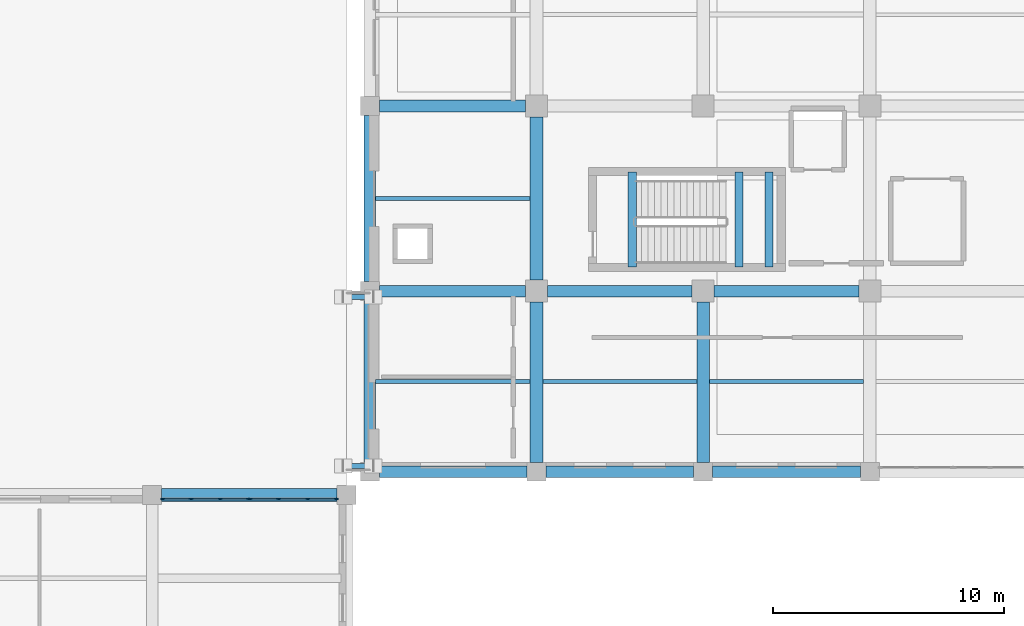
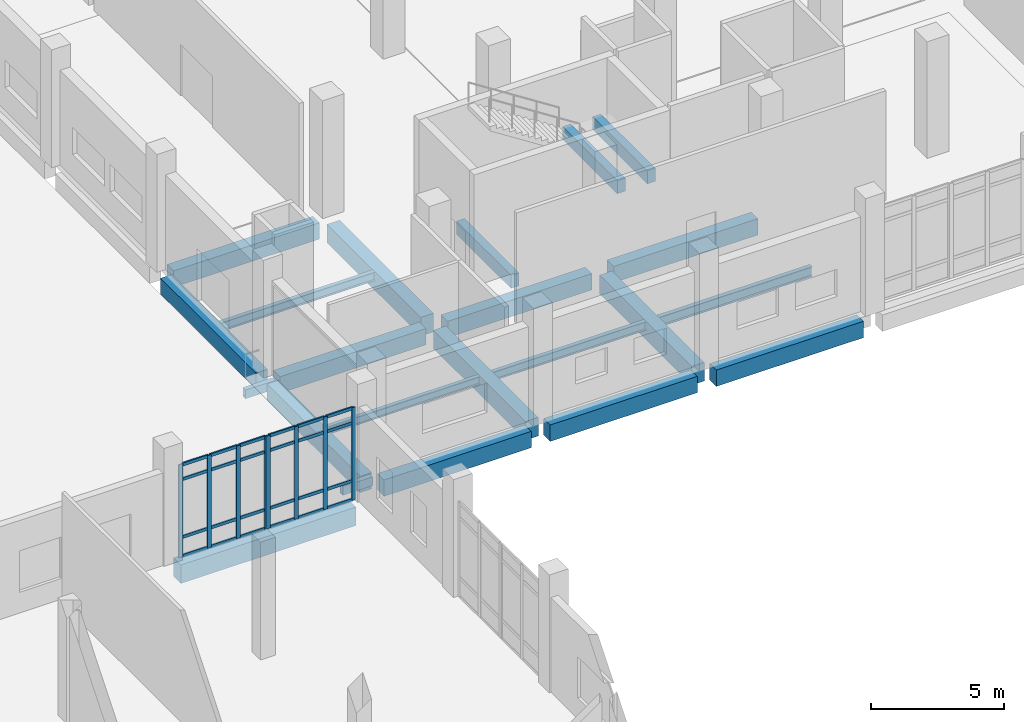
# One storey, part 10 of 79: 32 members, 22 beams, 2 elements without a shape of their own.
"""IFC4 building model written with IfcOpenShell, lengths in metres."""

from ifc_helpers import new_model, si_unit, direction, frame, origin, origin_2d, place, context, subcontext, project, spatial, rectangle, hollow_rectangle, i_section, extrude, material, layer, layer_set, material_profile, profile_set, type_object, element, aggregate, save


model = new_model("IFC4")

# Units and contexts
model_context = context("Model", 3, precision=1e-05, world=origin(), true_north=direction((0.0, 1.0)))
body_context = subcontext(model_context, "Body", "Model", "MODEL_VIEW")
ifc_project = project(units=[si_unit("LENGTHUNIT", "METRE"), si_unit("AREAUNIT", "SQUARE_METRE"), si_unit("VOLUMEUNIT", "CUBIC_METRE"), si_unit("PLANEANGLEUNIT", "RADIAN"), si_unit("MASSUNIT", "GRAM", prefix="KILO")], contexts=[model_context])

# Site, building, storey
site_placement = place(None, origin())
site = spatial("IfcSite", under=ifc_project, at=site_placement, CompositionType="ELEMENT")
building_placement = place(site_placement, origin())
building = spatial("IfcBuilding", under=site, at=building_placement, Name="Kelarvand Opera House", CompositionType="ELEMENT")
storey_placement = place(building_placement, origin())
storey = spatial("IfcBuildingStorey", under=building, at=storey_placement, Name="L00", CompositionType="ELEMENT", Elevation=0.0)

# Curtain wall, members
ifc_material_1 = material(Name="Thermally broken aluminium and low-E glazing", Category="aluminium")
ifc_layer = layer(ifc_material_1, 0.179931640625, Name="Thermally broken aluminium and low-E glazing", Category="aluminium")
ifc_layer_set = layer_set([ifc_layer], Name="Thermally broken aluminium and low-E glazing")
curtain_wall_type = type_object("IfcCurtainWallType", Name="Unitised Low-E Curtain Wall 3776x4250 Mod 1350 CWF-23", PredefinedType="USERDEFINED", material=ifc_layer_set)
curtain_wall_1_placement = place(storey_placement, origin())
curtain_wall_1 = element("IfcCurtainWall", 1, at=curtain_wall_1_placement, inside=storey, type_object=curtain_wall_type, Name="V4 L00 Curtain Wall CWF-23 (109)", ObjectType="UNITISED CURTAIN WALL", PredefinedType="USERDEFINED")
ifc_material_2 = material(Name="Thermally broken anodised aluminium", Category="aluminium")
ifc_material_profile_1 = material_profile(ifc_material_2, rectangle(XDim=0.06494140625, YDim=0.179931640625, at=origin_2d()), Name="ALU MULLION 65x180", Category="aluminium")
ifc_profile_set_1 = profile_set([ifc_material_profile_1], Name="Thermally broken anodised aluminium")
member_type_1 = type_object("IfcMemberType", Name="Curtain Wall Mullion 65x180 Aluminium", PredefinedType="MULLION", material=ifc_profile_set_1)
member_1_placement = place(storey_placement, frame((43.052490234375, 37.6201171875, 0.0), z_axis=(0.0, 0.0, 1.0), x_axis=(0.0, 1.0, 0.0)))
member_1 = element("IfcMember", 2, at=member_1_placement, type_object=member_type_1, Name="CWF-23 mullion 1", PredefinedType="MULLION", context=body_context, shape_type="SweptSolid", body=[
    extrude(rectangle(XDim=0.06494140625, YDim=0.179931640625, at=origin_2d()), origin(), (0.0, 0.0, 1.0), 4.25),
])
member_2_placement = place(storey_placement, frame((44.278564453125, 37.6201171875, 0.0), z_axis=(0.0, 0.0, 1.0), x_axis=(0.0, 1.0, 0.0)))
member_2 = element("IfcMember", 3, at=member_2_placement, type_object=member_type_1, Name="CWF-23 mullion 2", PredefinedType="MULLION", context=body_context, shape_type="SweptSolid", body=[
    extrude(rectangle(XDim=0.06494140625, YDim=0.179931640625, at=origin_2d()), origin(), (0.0, 0.0, 1.0), 4.25),
])
member_3_placement = place(storey_placement, frame((45.537353515625, 37.6201171875, 0.0), z_axis=(0.0, 0.0, 1.0), x_axis=(0.0, 1.0, 0.0)))
member_3 = element("IfcMember", 4, at=member_3_placement, type_object=member_type_1, Name="CWF-23 mullion 3", PredefinedType="MULLION", context=body_context, shape_type="SweptSolid", body=[
    extrude(rectangle(XDim=0.06494140625, YDim=0.179931640625, at=origin_2d()), origin(), (0.0, 0.0, 1.0), 4.25),
])
member_4_placement = place(storey_placement, frame((46.763427734375, 37.6201171875, 0.0), z_axis=(0.0, 0.0, 1.0), x_axis=(0.0, 1.0, 0.0)))
member_4 = element("IfcMember", 5, at=member_4_placement, type_object=member_type_1, Name="CWF-23 mullion 4", PredefinedType="MULLION", context=body_context, shape_type="SweptSolid", body=[
    extrude(rectangle(XDim=0.06494140625, YDim=0.179931640625, at=origin_2d()), origin(), (0.0, 0.0, 1.0), 4.25),
])

curtain_wall_2_placement = place(storey_placement, origin())
curtain_wall_2 = element("IfcCurtainWall", 6, at=curtain_wall_2_placement, inside=storey, type_object=curtain_wall_type, Name="V4 L00 Curtain Wall CWF-23 (110)", ObjectType="UNITISED CURTAIN WALL", PredefinedType="USERDEFINED")
member_5_placement = place(storey_placement, frame((46.83251953125, 37.6201171875, 0.0), z_axis=(0.0, 0.0, 1.0), x_axis=(0.0, 1.0, 0.0)))
member_5 = element("IfcMember", 7, at=member_5_placement, type_object=member_type_1, Name="CWF-23 mullion 1", PredefinedType="MULLION", context=body_context, shape_type="SweptSolid", body=[
    extrude(rectangle(XDim=0.06494140625, YDim=0.179931640625, at=origin_2d()), origin(), (0.0, 0.0, 1.0), 4.25),
])
member_6_placement = place(storey_placement, frame((48.06005859375, 37.6201171875, 0.0), z_axis=(0.0, 0.0, 1.0), x_axis=(0.0, 1.0, 0.0)))
member_6 = element("IfcMember", 8, at=member_6_placement, type_object=member_type_1, Name="CWF-23 mullion 2", PredefinedType="MULLION", context=body_context, shape_type="SweptSolid", body=[
    extrude(rectangle(XDim=0.06494140625, YDim=0.179931640625, at=origin_2d()), origin(), (0.0, 0.0, 1.0), 4.25),
])
member_7_placement = place(storey_placement, frame((49.320068359375, 37.6201171875, 0.0), z_axis=(0.0, 0.0, 1.0), x_axis=(0.0, 1.0, 0.0)))
member_7 = element("IfcMember", 9, at=member_7_placement, type_object=member_type_1, Name="CWF-23 mullion 3", PredefinedType="MULLION", context=body_context, shape_type="SweptSolid", body=[
    extrude(rectangle(XDim=0.06494140625, YDim=0.179931640625, at=origin_2d()), origin(), (0.0, 0.0, 1.0), 4.25),
])
member_8_placement = place(storey_placement, frame((50.547607421875, 37.6201171875, 0.0), z_axis=(0.0, 0.0, 1.0), x_axis=(0.0, 1.0, 0.0)))
member_8 = element("IfcMember", 10, at=member_8_placement, type_object=member_type_1, Name="CWF-23 mullion 4", PredefinedType="MULLION", context=body_context, shape_type="SweptSolid", body=[
    extrude(rectangle(XDim=0.06494140625, YDim=0.179931640625, at=origin_2d()), origin(), (0.0, 0.0, 1.0), 4.25),
])

# Member
ifc_material_profile_2 = material_profile(ifc_material_2, rectangle(XDim=0.06494140625, YDim=0.139892578125, at=origin_2d()), Name="ALU TRANSOM 65x140", Category="aluminium")
ifc_profile_set_2 = profile_set([ifc_material_profile_2], Name="Thermally broken anodised aluminium")
member_type_2 = type_object("IfcMemberType", Name="Curtain Wall Transom 65x140 Aluminium", PredefinedType="USERDEFINED", material=ifc_profile_set_2)
member_9_placement = place(storey_placement, frame((43.0849609375, 37.6201171875, 0.032470703125), z_axis=(1.0, 0.0, 0.0), x_axis=(0.0, 1.0, 0.0)))
member_9 = element("IfcMember", 11, at=member_9_placement, type_object=member_type_2, Name="CWF-23 transom 1.1", ObjectType="TRANSOM", PredefinedType="USERDEFINED", context=body_context, shape_type="SweptSolid", body=[
    extrude(rectangle(XDim=0.06494140625, YDim=0.139892578125, at=origin_2d()), origin(), (0.0, 0.0, 1.0), 1.1611328125),
])

member_10_placement = place(storey_placement, frame((43.0849609375, 37.6201171875, 0.89990234375), z_axis=(1.0, 0.0, 0.0), x_axis=(0.0, 1.0, 0.0)))
member_10 = element("IfcMember", 12, at=member_10_placement, type_object=member_type_2, Name="CWF-23 transom 1.2", ObjectType="TRANSOM", PredefinedType="USERDEFINED", context=body_context, shape_type="SweptSolid", body=[
    extrude(rectangle(XDim=0.06494140625, YDim=0.139892578125, at=origin_2d()), origin(), (0.0, 0.0, 1.0), 1.1611328125),
])

member_11_placement = place(storey_placement, frame((43.0849609375, 37.6201171875, 3.550048828125), z_axis=(1.0, 0.0, 0.0), x_axis=(0.0, 1.0, 0.0)))
member_11 = element("IfcMember", 13, at=member_11_placement, type_object=member_type_2, Name="CWF-23 transom 1.3", ObjectType="TRANSOM", PredefinedType="USERDEFINED", context=body_context, shape_type="SweptSolid", body=[
    extrude(rectangle(XDim=0.06494140625, YDim=0.139892578125, at=origin_2d()), origin(), (0.0, 0.0, 1.0), 1.1611328125),
])

member_12_placement = place(storey_placement, frame((43.0849609375, 37.6201171875, 4.217529296875), z_axis=(1.0, 0.0, 0.0), x_axis=(0.0, 1.0, 0.0)))
member_12 = element("IfcMember", 14, at=member_12_placement, type_object=member_type_2, Name="CWF-23 transom 1.4", ObjectType="TRANSOM", PredefinedType="USERDEFINED", context=body_context, shape_type="SweptSolid", body=[
    extrude(rectangle(XDim=0.06494140625, YDim=0.139892578125, at=origin_2d()), origin(), (0.0, 0.0, 1.0), 1.1611328125),
])

member_13_placement = place(storey_placement, frame((44.311279296875, 37.6201171875, 0.032470703125), z_axis=(1.0, 0.0, 0.0), x_axis=(0.0, 1.0, 0.0)))
member_13 = element("IfcMember", 15, at=member_13_placement, type_object=member_type_2, Name="CWF-23 transom 2.1", ObjectType="TRANSOM", PredefinedType="USERDEFINED", context=body_context, shape_type="SweptSolid", body=[
    extrude(rectangle(XDim=0.06494140625, YDim=0.139892578125, at=origin_2d()), origin(), (0.0, 0.0, 1.0), 1.193603515625),
])

member_14_placement = place(storey_placement, frame((44.311279296875, 37.6201171875, 0.89990234375), z_axis=(1.0, 0.0, 0.0), x_axis=(0.0, 1.0, 0.0)))
member_14 = element("IfcMember", 16, at=member_14_placement, type_object=member_type_2, Name="CWF-23 transom 2.2", ObjectType="TRANSOM", PredefinedType="USERDEFINED", context=body_context, shape_type="SweptSolid", body=[
    extrude(rectangle(XDim=0.06494140625, YDim=0.139892578125, at=origin_2d()), origin(), (0.0, 0.0, 1.0), 1.193603515625),
])

member_15_placement = place(storey_placement, frame((44.311279296875, 37.6201171875, 3.550048828125), z_axis=(1.0, 0.0, 0.0), x_axis=(0.0, 1.0, 0.0)))
member_15 = element("IfcMember", 17, at=member_15_placement, type_object=member_type_2, Name="CWF-23 transom 2.3", ObjectType="TRANSOM", PredefinedType="USERDEFINED", context=body_context, shape_type="SweptSolid", body=[
    extrude(rectangle(XDim=0.06494140625, YDim=0.139892578125, at=origin_2d()), origin(), (0.0, 0.0, 1.0), 1.193603515625),
])

member_16_placement = place(storey_placement, frame((44.311279296875, 37.6201171875, 4.217529296875), z_axis=(1.0, 0.0, 0.0), x_axis=(0.0, 1.0, 0.0)))
member_16 = element("IfcMember", 18, at=member_16_placement, type_object=member_type_2, Name="CWF-23 transom 2.4", ObjectType="TRANSOM", PredefinedType="USERDEFINED", context=body_context, shape_type="SweptSolid", body=[
    extrude(rectangle(XDim=0.06494140625, YDim=0.139892578125, at=origin_2d()), origin(), (0.0, 0.0, 1.0), 1.193603515625),
])

member_17_placement = place(storey_placement, frame((45.56982421875, 37.6201171875, 0.032470703125), z_axis=(1.0, 0.0, 0.0), x_axis=(0.0, 1.0, 0.0)))
member_17 = element("IfcMember", 19, at=member_17_placement, type_object=member_type_2, Name="CWF-23 transom 3.1", ObjectType="TRANSOM", PredefinedType="USERDEFINED", context=body_context, shape_type="SweptSolid", body=[
    extrude(rectangle(XDim=0.06494140625, YDim=0.139892578125, at=origin_2d()), origin(), (0.0, 0.0, 1.0), 1.1611328125),
])

member_18_placement = place(storey_placement, frame((45.56982421875, 37.6201171875, 0.89990234375), z_axis=(1.0, 0.0, 0.0), x_axis=(0.0, 1.0, 0.0)))
member_18 = element("IfcMember", 20, at=member_18_placement, type_object=member_type_2, Name="CWF-23 transom 3.2", ObjectType="TRANSOM", PredefinedType="USERDEFINED", context=body_context, shape_type="SweptSolid", body=[
    extrude(rectangle(XDim=0.06494140625, YDim=0.139892578125, at=origin_2d()), origin(), (0.0, 0.0, 1.0), 1.1611328125),
])

member_19_placement = place(storey_placement, frame((45.56982421875, 37.6201171875, 3.550048828125), z_axis=(1.0, 0.0, 0.0), x_axis=(0.0, 1.0, 0.0)))
member_19 = element("IfcMember", 21, at=member_19_placement, type_object=member_type_2, Name="CWF-23 transom 3.3", ObjectType="TRANSOM", PredefinedType="USERDEFINED", context=body_context, shape_type="SweptSolid", body=[
    extrude(rectangle(XDim=0.06494140625, YDim=0.139892578125, at=origin_2d()), origin(), (0.0, 0.0, 1.0), 1.1611328125),
])

member_20_placement = place(storey_placement, frame((45.56982421875, 37.6201171875, 4.217529296875), z_axis=(1.0, 0.0, 0.0), x_axis=(0.0, 1.0, 0.0)))
member_20 = element("IfcMember", 22, at=member_20_placement, type_object=member_type_2, Name="CWF-23 transom 3.4", ObjectType="TRANSOM", PredefinedType="USERDEFINED", context=body_context, shape_type="SweptSolid", body=[
    extrude(rectangle(XDim=0.06494140625, YDim=0.139892578125, at=origin_2d()), origin(), (0.0, 0.0, 1.0), 1.1611328125),
])

aggregate(curtain_wall_1, [member_1, member_2, member_3, member_4, member_9, member_10, member_11, member_12, member_13, member_14, member_15, member_16, member_17, member_18, member_19, member_20])

member_21_placement = place(storey_placement, frame((46.864990234375, 37.6201171875, 0.032470703125), z_axis=(1.0, 0.0, 0.0), x_axis=(0.0, 1.0, 0.0)))
member_21 = element("IfcMember", 23, at=member_21_placement, type_object=member_type_2, Name="CWF-23 transom 1.1", ObjectType="TRANSOM", PredefinedType="USERDEFINED", context=body_context, shape_type="SweptSolid", body=[
    extrude(rectangle(XDim=0.06494140625, YDim=0.139892578125, at=origin_2d()), origin(), (0.0, 0.0, 1.0), 1.16259765625),
])

member_22_placement = place(storey_placement, frame((46.864990234375, 37.6201171875, 0.89990234375), z_axis=(1.0, 0.0, 0.0), x_axis=(0.0, 1.0, 0.0)))
member_22 = element("IfcMember", 24, at=member_22_placement, type_object=member_type_2, Name="CWF-23 transom 1.2", ObjectType="TRANSOM", PredefinedType="USERDEFINED", context=body_context, shape_type="SweptSolid", body=[
    extrude(rectangle(XDim=0.06494140625, YDim=0.139892578125, at=origin_2d()), origin(), (0.0, 0.0, 1.0), 1.16259765625),
])

member_23_placement = place(storey_placement, frame((46.864990234375, 37.6201171875, 3.550048828125), z_axis=(1.0, 0.0, 0.0), x_axis=(0.0, 1.0, 0.0)))
member_23 = element("IfcMember", 25, at=member_23_placement, type_object=member_type_2, Name="CWF-23 transom 1.3", ObjectType="TRANSOM", PredefinedType="USERDEFINED", context=body_context, shape_type="SweptSolid", body=[
    extrude(rectangle(XDim=0.06494140625, YDim=0.139892578125, at=origin_2d()), origin(), (0.0, 0.0, 1.0), 1.16259765625),
])

member_24_placement = place(storey_placement, frame((46.864990234375, 37.6201171875, 4.217529296875), z_axis=(1.0, 0.0, 0.0), x_axis=(0.0, 1.0, 0.0)))
member_24 = element("IfcMember", 26, at=member_24_placement, type_object=member_type_2, Name="CWF-23 transom 1.4", ObjectType="TRANSOM", PredefinedType="USERDEFINED", context=body_context, shape_type="SweptSolid", body=[
    extrude(rectangle(XDim=0.06494140625, YDim=0.139892578125, at=origin_2d()), origin(), (0.0, 0.0, 1.0), 1.16259765625),
])

member_25_placement = place(storey_placement, frame((48.092529296875, 37.6201171875, 0.032470703125), z_axis=(1.0, 0.0, 0.0), x_axis=(0.0, 1.0, 0.0)))
member_25 = element("IfcMember", 27, at=member_25_placement, type_object=member_type_2, Name="CWF-23 transom 2.1", ObjectType="TRANSOM", PredefinedType="USERDEFINED", context=body_context, shape_type="SweptSolid", body=[
    extrude(rectangle(XDim=0.06494140625, YDim=0.139892578125, at=origin_2d()), origin(), (0.0, 0.0, 1.0), 1.195068359375),
])

member_26_placement = place(storey_placement, frame((48.092529296875, 37.6201171875, 0.89990234375), z_axis=(1.0, 0.0, 0.0), x_axis=(0.0, 1.0, 0.0)))
member_26 = element("IfcMember", 28, at=member_26_placement, type_object=member_type_2, Name="CWF-23 transom 2.2", ObjectType="TRANSOM", PredefinedType="USERDEFINED", context=body_context, shape_type="SweptSolid", body=[
    extrude(rectangle(XDim=0.06494140625, YDim=0.139892578125, at=origin_2d()), origin(), (0.0, 0.0, 1.0), 1.195068359375),
])

member_27_placement = place(storey_placement, frame((48.092529296875, 37.6201171875, 3.550048828125), z_axis=(1.0, 0.0, 0.0), x_axis=(0.0, 1.0, 0.0)))
member_27 = element("IfcMember", 29, at=member_27_placement, type_object=member_type_2, Name="CWF-23 transom 2.3", ObjectType="TRANSOM", PredefinedType="USERDEFINED", context=body_context, shape_type="SweptSolid", body=[
    extrude(rectangle(XDim=0.06494140625, YDim=0.139892578125, at=origin_2d()), origin(), (0.0, 0.0, 1.0), 1.195068359375),
])

member_28_placement = place(storey_placement, frame((48.092529296875, 37.6201171875, 4.217529296875), z_axis=(1.0, 0.0, 0.0), x_axis=(0.0, 1.0, 0.0)))
member_28 = element("IfcMember", 30, at=member_28_placement, type_object=member_type_2, Name="CWF-23 transom 2.4", ObjectType="TRANSOM", PredefinedType="USERDEFINED", context=body_context, shape_type="SweptSolid", body=[
    extrude(rectangle(XDim=0.06494140625, YDim=0.139892578125, at=origin_2d()), origin(), (0.0, 0.0, 1.0), 1.195068359375),
])

member_29_placement = place(storey_placement, frame((49.3525390625, 37.6201171875, 0.032470703125), z_axis=(1.0, 0.0, 0.0), x_axis=(0.0, 1.0, 0.0)))
member_29 = element("IfcMember", 31, at=member_29_placement, type_object=member_type_2, Name="CWF-23 transom 3.1", ObjectType="TRANSOM", PredefinedType="USERDEFINED", context=body_context, shape_type="SweptSolid", body=[
    extrude(rectangle(XDim=0.06494140625, YDim=0.139892578125, at=origin_2d()), origin(), (0.0, 0.0, 1.0), 1.162353515625),
])

member_30_placement = place(storey_placement, frame((49.3525390625, 37.6201171875, 0.89990234375), z_axis=(1.0, 0.0, 0.0), x_axis=(0.0, 1.0, 0.0)))
member_30 = element("IfcMember", 32, at=member_30_placement, type_object=member_type_2, Name="CWF-23 transom 3.2", ObjectType="TRANSOM", PredefinedType="USERDEFINED", context=body_context, shape_type="SweptSolid", body=[
    extrude(rectangle(XDim=0.06494140625, YDim=0.139892578125, at=origin_2d()), origin(), (0.0, 0.0, 1.0), 1.162353515625),
])

member_31_placement = place(storey_placement, frame((49.3525390625, 37.6201171875, 3.550048828125), z_axis=(1.0, 0.0, 0.0), x_axis=(0.0, 1.0, 0.0)))
member_31 = element("IfcMember", 33, at=member_31_placement, type_object=member_type_2, Name="CWF-23 transom 3.3", ObjectType="TRANSOM", PredefinedType="USERDEFINED", context=body_context, shape_type="SweptSolid", body=[
    extrude(rectangle(XDim=0.06494140625, YDim=0.139892578125, at=origin_2d()), origin(), (0.0, 0.0, 1.0), 1.162353515625),
])

member_32_placement = place(storey_placement, frame((49.3525390625, 37.6201171875, 4.217529296875), z_axis=(1.0, 0.0, 0.0), x_axis=(0.0, 1.0, 0.0)))
member_32 = element("IfcMember", 34, at=member_32_placement, type_object=member_type_2, Name="CWF-23 transom 3.4", ObjectType="TRANSOM", PredefinedType="USERDEFINED", context=body_context, shape_type="SweptSolid", body=[
    extrude(rectangle(XDim=0.06494140625, YDim=0.139892578125, at=origin_2d()), origin(), (0.0, 0.0, 1.0), 1.162353515625),
])

aggregate(curtain_wall_2, [member_5, member_6, member_7, member_8, member_21, member_22, member_23, member_24, member_25, member_26, member_27, member_28, member_29, member_30, member_31, member_32])

# Beams
ifc_material_3 = material(Name="Concrete C35/45", Category="concrete")
ifc_material_profile_3 = material_profile(ifc_material_3, rectangle(XDim=0.35009765625, YDim=0.60009765625, at=origin_2d()), Name="RC 350x600", Category="concrete")
ifc_profile_set_3 = profile_set([ifc_material_profile_3], Name="Concrete C35/45")
beam_type_1 = type_object("IfcBeamType", Name="Structural Beam RC 350x600 BM-RC350x600", PredefinedType="BEAM", material=ifc_profile_set_3)
for number, where, z_axis, x_axis, name in (
    (35, (63.340087890625, 47.64990234375, -0.52001953125), (0.0, 1.0, 0.0), (-1.0, 0.0, 0.0), "C2 Stair Landing Support Beam L00"),
    (36, (67.949951171875, 47.64990234375, 2.199951171875), (0.0, 1.0, 0.0), (-1.0, 0.0, 0.0), "C2 Stair Half-Landing Beam 1 L00"),
    (37, (69.25, 47.64990234375, 2.199951171875), (0.0, 1.0, 0.0), (-1.0, 0.0, 0.0), "C2 Stair Half-Landing Beam 2 L00"),
):
    element("IfcBeam", number, at=place(storey_placement, frame(where, z_axis=z_axis, x_axis=x_axis)), inside=storey, type_object=beam_type_1, Name=name, PredefinedType="BEAM", context=body_context, shape_type="SweptSolid", body=[
        extrude(rectangle(XDim=0.35009765625, YDim=0.60009765625, at=origin_2d()), origin(), (0.0, 0.0, 1.0), 4.10009765625),
    ])
ifc_material_4 = material(Name="Concrete C40/50", Category="concrete")
ifc_material_profile_4 = material_profile(ifc_material_4, rectangle(XDim=0.5, YDim=0.75, at=origin_2d()), Name="RC 500x750", Category="concrete")
ifc_profile_set_4 = profile_set([ifc_material_profile_4], Name="Concrete C40/50")
beam_type_2 = type_object("IfcBeamType", Name="Structural Beam RC 500x750 BM-RC500x750", PredefinedType="BEAM", material=ifc_profile_set_4)
beam_1_placement = place(storey_placement, frame((52.409912109375, 46.60009765625, -0.695068359375), z_axis=(1.0, 0.0, 0.0), x_axis=(0.0, 1.0, 0.0)))
element("IfcBeam", 38, at=beam_1_placement, inside=storey, type_object=beam_type_2, Name="V2 L00 Beam BM-RC500x750", PredefinedType="BEAM", context=body_context, shape_type="SweptSolid", body=[
    extrude(rectangle(XDim=0.5, YDim=0.75, at=origin_2d()), origin(), (0.0, 0.0, 1.0), 6.315185546875),
])
for number, where, z_axis, x_axis, name in (
    (39, (59.675048828125, 46.60009765625, -0.695068359375), (1.0, 0.0, 0.0), (0.0, 1.0, 0.0), "V2 L00 Beam BM-RC500x750"),
    (40, (66.875, 46.60009765625, -0.695068359375), (1.0, 0.0, 0.0), (0.0, 1.0, 0.0), "V2 L00 Beam BM-RC500x750"),
):
    element("IfcBeam", number, at=place(storey_placement, frame(where, z_axis=z_axis, x_axis=x_axis)), inside=storey, type_object=beam_type_2, Name=name, PredefinedType="BEAM", context=body_context, shape_type="SweptSolid", body=[
        extrude(rectangle(XDim=0.5, YDim=0.75, at=origin_2d()), origin(), (0.0, 0.0, 1.0), 6.25),
    ])
beam_2_placement = place(storey_placement, frame((52.409912109375, 54.60009765625, -0.695068359375), z_axis=(1.0, 0.0, 0.0), x_axis=(0.0, 1.0, 0.0)))
element("IfcBeam", 41, at=beam_2_placement, inside=storey, type_object=beam_type_2, Name="V2 L00 Beam BM-RC500x750", PredefinedType="BEAM", context=body_context, shape_type="SweptSolid", body=[
    extrude(rectangle(XDim=0.5, YDim=0.75, at=origin_2d()), origin(), (0.0, 0.0, 1.0), 6.315185546875),
])
ifc_material_profile_5 = material_profile(ifc_material_4, rectangle(XDim=0.550048828125, YDim=0.85009765625, at=origin_2d()), Name="RC 550x850", Category="concrete")
ifc_profile_set_5 = profile_set([ifc_material_profile_5], Name="Concrete C40/50")
beam_type_3 = type_object("IfcBeamType", Name="Structural Beam RC 550x850 BM-RC550x850", PredefinedType="BEAM", material=ifc_profile_set_5)
beam_3_placement = place(storey_placement, frame((59.199951171875, 39.2099609375, -0.7451171875), z_axis=(0.0, 1.0, 0.0), x_axis=(-1.0, 0.0, 0.0)))
element("IfcBeam", 42, at=beam_3_placement, inside=storey, type_object=beam_type_3, Name="V2 L00 Beam BM-RC550x850", PredefinedType="BEAM", context=body_context, shape_type="SweptSolid", body=[
    extrude(rectangle(XDim=0.550048828125, YDim=0.85009765625, at=origin_2d()), origin(), (0.0, 0.0, 1.0), 6.9150390625),
])
beam_4_placement = place(storey_placement, frame((59.199951171875, 47.074951171875, -0.7451171875), z_axis=(0.0, 1.0, 0.0), x_axis=(-1.0, 0.0, 0.0)))
element("IfcBeam", 43, at=beam_4_placement, inside=storey, type_object=beam_type_3, Name="V2 L00 Beam BM-RC550x850", PredefinedType="BEAM", context=body_context, shape_type="SweptSolid", body=[
    extrude(rectangle(XDim=0.550048828125, YDim=0.85009765625, at=origin_2d()), origin(), (0.0, 0.0, 1.0), 7.050048828125),
])
beam_5_placement = place(storey_placement, frame((66.39990234375, 39.2099609375, -0.7451171875), z_axis=(0.0, 1.0, 0.0), x_axis=(-1.0, 0.0, 0.0)))
element("IfcBeam", 44, at=beam_5_placement, inside=storey, type_object=beam_type_3, Name="V2 L00 Beam BM-RC550x850", PredefinedType="BEAM", context=body_context, shape_type="SweptSolid", body=[
    extrude(rectangle(XDim=0.550048828125, YDim=0.85009765625, at=origin_2d()), origin(), (0.0, 0.0, 1.0), 6.9150390625),
])
beam_6_placement = place(storey_placement, frame((43.010009765625, 37.800048828125, -0.72509765625), z_axis=(1.0, 0.0, 0.0), x_axis=(0.0, 1.0, 0.0)))
element("IfcBeam", 45, at=beam_6_placement, inside=storey, type_object=beam_type_3, Name="V4 L00 Beam BM-RC550x850", PredefinedType="BEAM", context=body_context, shape_type="SweptSolid", body=[
    extrude(rectangle(XDim=0.550048828125, YDim=0.85009765625, at=origin_2d()), origin(), (0.0, 0.0, 1.0), 7.580078125),
])
ifc_material_5 = material(Name="Steel S355", Category="steel")
ifc_material_profile_6 = material_profile(ifc_material_5, hollow_rectangle(XDim=0.199951171875, YDim=0.39990234375, WallThickness=0.01611328125, at=origin_2d()), Name="RHS 400x200x16.0", Category="steel")
ifc_profile_set_6 = profile_set([ifc_material_profile_6], Name="Steel S355")
beam_type_4 = type_object("IfcBeamType", Name="Structural Beam RHS 400x200x16.0 BM-RHS400", PredefinedType="BEAM", material=ifc_profile_set_6)
for number, where, z_axis, x_axis, name in (
    (46, (50.85009765625, 39.050048828125, -0.52001953125), (1.0, 0.0, 0.0), (0.0, 1.0, 0.0), "Seismic Sliding Corbel Beam BR-JW-S L00 1"),
    (47, (50.85009765625, 46.35009765625, -0.52001953125), (1.0, 0.0, 0.0), (0.0, 1.0, 0.0), "Seismic Sliding Corbel Beam BR-JW-S L00 2"),
):
    element("IfcBeam", number, at=place(storey_placement, frame(where, z_axis=z_axis, x_axis=x_axis)), inside=storey, type_object=beam_type_4, Name=name, PredefinedType="BEAM", context=body_context, shape_type="SweptSolid", body=[
        extrude(hollow_rectangle(XDim=0.199951171875, YDim=0.39990234375, WallThickness=0.01611328125, at=origin_2d()), origin(), (0.0, 0.0, 1.0), 1.2998046875),
    ])
ifc_material_profile_7 = material_profile(ifc_material_5, i_section(OverallWidth=0.169921875, OverallDepth=0.360107421875, WebThickness=0.008056640625, FlangeThickness=0.0126953125, at=origin_2d()), Name="IPE 360", Category="steel")
ifc_profile_set_7 = profile_set([ifc_material_profile_7], Name="Steel S355")
beam_type_5 = type_object("IfcBeamType", Name="Structural Joist IPE 360 JS-IPE360", PredefinedType="JOIST", material=ifc_profile_set_7)
beam_7_placement = place(storey_placement, frame((52.25, 42.699951171875, -0.5), z_axis=(1.0, 0.0, 0.0), x_axis=(0.0, 1.0, 0.0)))
element("IfcBeam", 48, at=beam_7_placement, inside=storey, type_object=beam_type_5, Name="V2 L00 Beam JS-IPE360", PredefinedType="JOIST", context=body_context, shape_type="SweptSolid", body=[
    extrude(i_section(OverallWidth=0.169921875, OverallDepth=0.360107421875, WebThickness=0.008056640625, FlangeThickness=0.0126953125, at=origin_2d()), origin(), (0.0, 0.0, 1.0), 6.675048828125),
])
ifc_material_profile_8 = material_profile(ifc_material_5, i_section(OverallWidth=0.179931640625, OverallDepth=0.39990234375, WebThickness=0.008544921875, FlangeThickness=0.013427734375, at=origin_2d()), Name="IPE 400", Category="steel")
ifc_profile_set_8 = profile_set([ifc_material_profile_8], Name="Steel S355")
beam_type_6 = type_object("IfcBeamType", Name="Structural Joist IPE 400 JS-IPE400", PredefinedType="JOIST", material=ifc_profile_set_8)
beam_8_placement = place(storey_placement, frame((52.25, 50.60009765625, -0.52001953125), z_axis=(1.0, 0.0, 0.0), x_axis=(0.0, 1.0, 0.0)))
element("IfcBeam", 49, at=beam_8_placement, inside=storey, type_object=beam_type_6, Name="V2 L00 Beam JS-IPE400", PredefinedType="JOIST", context=body_context, shape_type="SweptSolid", body=[
    extrude(i_section(OverallWidth=0.179931640625, OverallDepth=0.39990234375, WebThickness=0.008544921875, FlangeThickness=0.013427734375, at=origin_2d()), origin(), (0.0, 0.0, 1.0), 6.675048828125),
])
beam_9_placement = place(storey_placement, frame((59.47509765625, 42.699951171875, -0.52001953125), z_axis=(1.0, 0.0, 0.0), x_axis=(0.0, 1.0, 0.0)))
element("IfcBeam", 50, at=beam_9_placement, inside=storey, type_object=beam_type_6, Name="V2 L00 Beam JS-IPE400", PredefinedType="JOIST", context=body_context, shape_type="SweptSolid", body=[
    extrude(i_section(OverallWidth=0.179931640625, OverallDepth=0.39990234375, WebThickness=0.008544921875, FlangeThickness=0.013427734375, at=origin_2d()), origin(), (0.0, 0.0, 1.0), 6.64990234375),
])
ifc_material_profile_9 = material_profile(ifc_material_5, i_section(OverallWidth=0.18994140625, OverallDepth=0.449951171875, WebThickness=0.009521484375, FlangeThickness=0.0146484375, at=origin_2d()), Name="IPE 450", Category="steel")
ifc_profile_set_9 = profile_set([ifc_material_profile_9], Name="Steel S355")
beam_type_7 = type_object("IfcBeamType", Name="Structural Joist IPE 450 JS-IPE450", PredefinedType="JOIST", material=ifc_profile_set_9)
beam_10_placement = place(storey_placement, frame((66.675048828125, 42.699951171875, -0.544921875), z_axis=(1.0, 0.0, 0.0), x_axis=(0.0, 1.0, 0.0)))
element("IfcBeam", 51, at=beam_10_placement, inside=storey, type_object=beam_type_7, Name="V2 L00 Beam JS-IPE450", PredefinedType="JOIST", context=body_context, shape_type="SweptSolid", body=[
    extrude(i_section(OverallWidth=0.18994140625, OverallDepth=0.449951171875, WebThickness=0.009521484375, FlangeThickness=0.0146484375, at=origin_2d()), origin(), (0.0, 0.0, 1.0), 6.64990234375),
])
ifc_material_profile_10 = material_profile(ifc_material_4, rectangle(XDim=0.5, YDim=0.75, at=origin_2d()), Name="RC 500x750", Category="concrete")
ifc_profile_set_10 = profile_set([ifc_material_profile_10], Name="Concrete C40/50")
beam_type_8 = type_object("IfcBeamType", Name="Structural Spandrel RC 500x750 SP-RC500x750E", PredefinedType="SPANDREL", material=ifc_profile_set_10)
beam_11_placement = place(storey_placement, frame((52.409912109375, 38.800048828125, -0.695068359375), z_axis=(1.0, 0.0, 0.0), x_axis=(0.0, 1.0, 0.0)))
element("IfcBeam", 52, at=beam_11_placement, inside=storey, type_object=beam_type_8, Name="V2 L00 Beam SP-RC500x750E", PredefinedType="SPANDREL", context=body_context, shape_type="SweptSolid", body=[
    extrude(rectangle(XDim=0.5, YDim=0.75, at=origin_2d()), origin(), (0.0, 0.0, 1.0), 6.380126953125),
])
for number, where, z_axis, x_axis, name in (
    (53, (59.610107421875, 38.800048828125, -0.695068359375), (1.0, 0.0, 0.0), (0.0, 1.0, 0.0), "V2 L00 Beam SP-RC500x750E"),
    (54, (66.81005859375, 38.800048828125, -0.695068359375), (1.0, 0.0, 0.0), (0.0, 1.0, 0.0), "V2 L00 Beam SP-RC500x750E"),
):
    element("IfcBeam", number, at=place(storey_placement, frame(where, z_axis=z_axis, x_axis=x_axis)), inside=storey, type_object=beam_type_8, Name=name, PredefinedType="SPANDREL", context=body_context, shape_type="SweptSolid", body=[
        extrude(rectangle(XDim=0.5, YDim=0.75, at=origin_2d()), origin(), (0.0, 0.0, 1.0), 6.3798828125),
    ])
beam_12_placement = place(storey_placement, frame((52.0, 39.2099609375, -0.695068359375), z_axis=(0.0, 1.0, 0.0), x_axis=(-1.0, 0.0, 0.0)))
element("IfcBeam", 55, at=beam_12_placement, inside=storey, type_object=beam_type_8, Name="V2 L00 Beam SP-RC500x750E", PredefinedType="SPANDREL", context=body_context, shape_type="SweptSolid", body=[
    extrude(rectangle(XDim=0.5, YDim=0.75, at=origin_2d()), origin(), (0.0, 0.0, 1.0), 6.97998046875),
])
beam_13_placement = place(storey_placement, frame((52.0, 47.010009765625, -0.695068359375), z_axis=(0.0, 1.0, 0.0), x_axis=(-1.0, 0.0, 0.0)))
element("IfcBeam", 56, at=beam_13_placement, inside=storey, type_object=beam_type_8, Name="V2 L00 Beam SP-RC500x750E", PredefinedType="SPANDREL", context=body_context, shape_type="SweptSolid", body=[
    extrude(rectangle(XDim=0.5, YDim=0.75, at=origin_2d()), origin(), (0.0, 0.0, 1.0), 7.179931640625),
])

save(model, "model.ifc")
